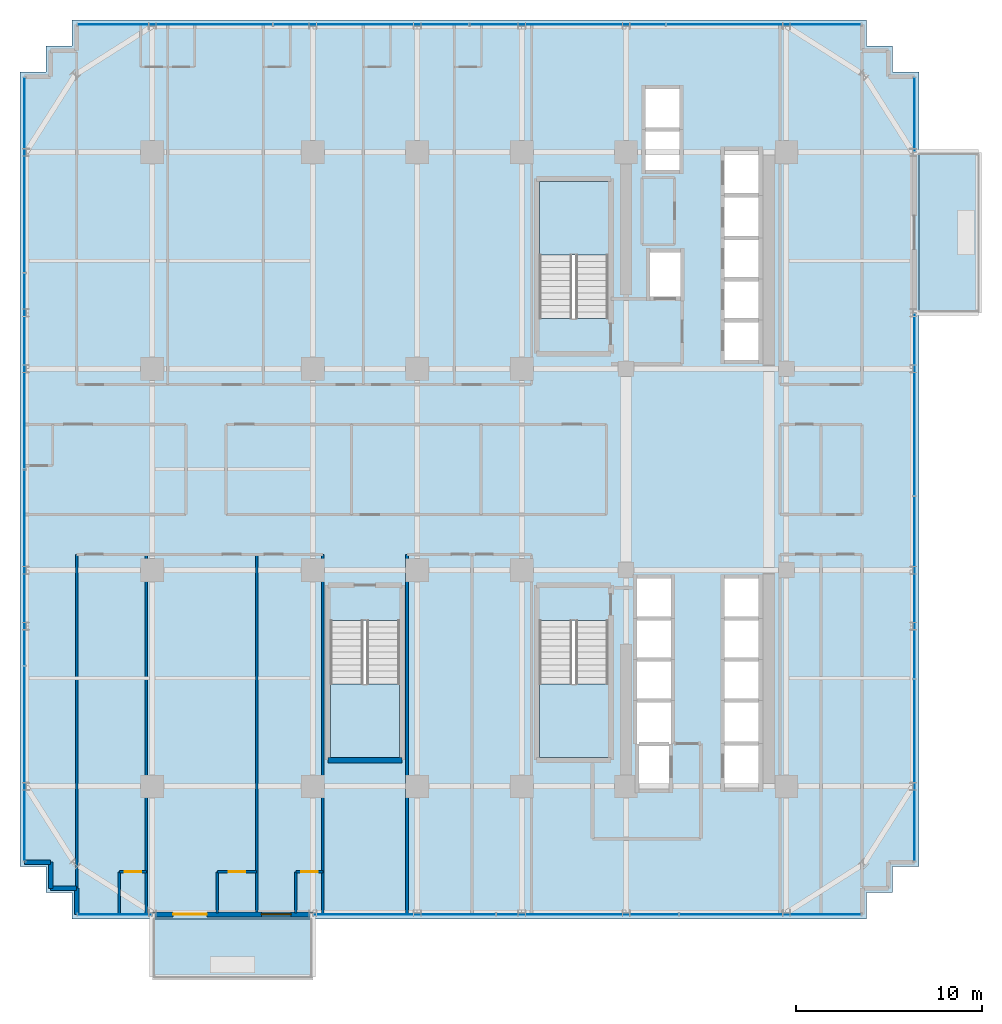
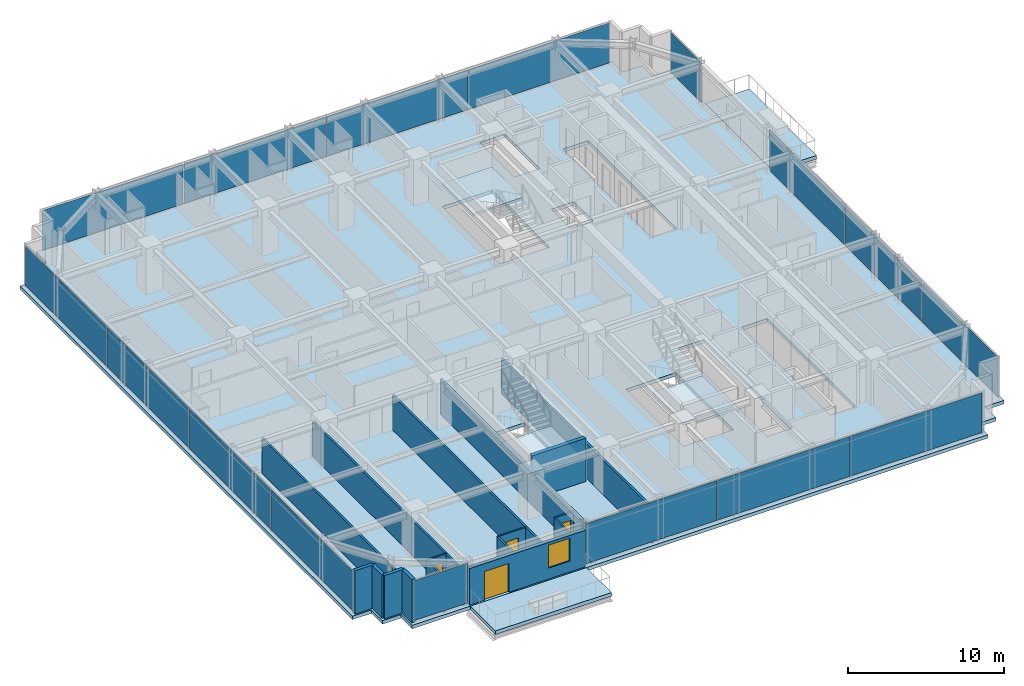
# One storey, part 25 of 32: 17 walls, 16 plates, 6 slabs, 4 doors, 1 window, 5 openings, 9 elements without a shape of their own.
"""IFC4 building model written with IfcOpenShell, lengths in metres."""

from ifc_helpers import new_model, si_unit, direction, frame, frame_2d, origin, origin_2d, place, context, subcontext, project, spatial, polyline, rectangle, outline, extrude, source, transform, mapped, material, layer, layer_set, type_object, element, fill, aggregate, save


model = new_model("IFC4")

# Units and contexts
model_context = context("Model", 3, precision=1e-05, world=origin(), true_north=direction((0.0, 1.0)))
body_context = subcontext(model_context, "Body", "Model", "MODEL_VIEW")
ifc_project = project(units=[si_unit("LENGTHUNIT", "METRE"), si_unit("AREAUNIT", "SQUARE_METRE"), si_unit("VOLUMEUNIT", "CUBIC_METRE"), si_unit("PLANEANGLEUNIT", "RADIAN"), si_unit("MASSUNIT", "GRAM", prefix="KILO")], contexts=[model_context])

# Site, building, storey
site_placement = place(None, origin())
site = spatial("IfcSite", under=ifc_project, at=site_placement, CompositionType="ELEMENT")
building_placement = place(site_placement, origin())
building = spatial("IfcBuilding", under=site, at=building_placement, Name="Nahalor Promenade Grand Hotel", CompositionType="ELEMENT")
storey_placement = place(building_placement, frame((0.0, 0.0, 102.89990234375)))
storey = spatial("IfcBuildingStorey", under=building, at=storey_placement, Name="L25", CompositionType="ELEMENT", Elevation=102.89990234375)

# Stair, slab
ifc_material_1 = material(Name="Concrete B-50 (C40/50)", Category="concrete")
stair_type_1 = type_object("IfcStairType", Name="Stair-ST1", PredefinedType="HALF_TURN_STAIR", material=ifc_material_1)
stair_1_placement = place(storey_placement, origin())
stair_1 = element("IfcStair", 1, at=stair_1_placement, inside=storey, type_object=stair_type_1, Name="L25 ST1", PredefinedType="HALF_TURN_STAIR")
ifc_layer_1 = layer(ifc_material_1, 0.199951171875)
ifc_layer_set_1 = layer_set([ifc_layer_1], Name="Concrete B-50 (C40/50)")
slab_type_1 = type_object("IfcSlabType", Name="Landing-ST1", PredefinedType="LANDING", material=ifc_layer_set_1)
slab_1_placement = place(storey_placement, frame((0.0, 0.0, 1.625)))
slab_1 = element("IfcSlab", 2, at=slab_1_placement, type_object=slab_type_1, Name="ST1 landing 1", PredefinedType="LANDING", context=body_context, shape_type="SweptSolid", body=[
    extrude(outline(polyline([(7.449951171875, 11.5), (7.449951171875, 15.449951171875), (3.75, 15.449951171875), (3.75, 11.5), (7.449951171875, 11.5)])), origin(), (0.0, 0.0, 1.0), 0.2001953125),
])
aggregate(stair_1, [slab_1])

stair_type_2 = type_object("IfcStairType", Name="Stair-ST2", PredefinedType="HALF_TURN_STAIR", material=ifc_material_1)
stair_2_placement = place(storey_placement, origin())
stair_2 = element("IfcStair", 3, at=stair_2_placement, inside=storey, type_object=stair_type_2, Name="L25 ST2", PredefinedType="HALF_TURN_STAIR")
ifc_layer_2 = layer(ifc_material_1, 0.2099609375)
ifc_layer_set_2 = layer_set([ifc_layer_2], Name="Concrete B-50 (C40/50)")
slab_type_2 = type_object("IfcSlabType", Name="Landing-ST2", PredefinedType="LANDING", material=ifc_layer_set_2)
slab_2_placement = place(storey_placement, frame((0.0, 0.0, 1.614990234375)))
slab_2 = element("IfcSlab", 4, at=slab_2_placement, type_object=slab_type_2, Name="ST2 landing 1", PredefinedType="LANDING", context=body_context, shape_type="SweptSolid", body=[
    extrude(outline(polyline([(3.75, -11.5), (3.75, -15.449951171875), (7.449951171875, -15.449951171875), (7.449951171875, -11.5), (3.75, -11.5)])), origin(), (0.0, 0.0, 1.0), 0.210205078125),
])
aggregate(stair_2, [slab_2])

stair_type_3 = type_object("IfcStairType", Name="Stair-ST3", PredefinedType="HALF_TURN_STAIR", material=ifc_material_1)
stair_3_placement = place(storey_placement, origin())
stair_3 = element("IfcStair", 5, at=stair_3_placement, inside=storey, type_object=stair_type_3, Name="L25 ST3", PredefinedType="HALF_TURN_STAIR")
ifc_layer_3 = layer(ifc_material_1, 0.219970703125)
ifc_layer_set_3 = layer_set([ifc_layer_3], Name="Concrete B-50 (C40/50)")
slab_type_3 = type_object("IfcSlabType", Name="Landing-ST3", PredefinedType="LANDING", material=ifc_layer_set_3)
slab_3_placement = place(storey_placement, frame((0.0, 0.0, 1.60498046875)))
slab_3 = element("IfcSlab", 6, at=slab_3_placement, type_object=slab_type_3, Name="ST3 landing 1", PredefinedType="LANDING", context=body_context, shape_type="SweptSolid", body=[
    extrude(outline(polyline([(-7.449951171875, -11.5), (-7.449951171875, -15.449951171875), (-3.75, -15.449951171875), (-3.75, -11.5), (-7.449951171875, -11.5)])), origin(), (0.0, 0.0, 1.0), 0.22021484375),
])
aggregate(stair_3, [slab_3])

# Slabs
ifc_layer_4 = layer(ifc_material_1, 0.280029296875)
ifc_layer_set_4 = layer_set([ifc_layer_4], Name="Concrete B-50 (C40/50)")
slab_type_4 = type_object("IfcSlabType", Name="Slab-Balcony-280", PredefinedType="FLOOR", material=ifc_layer_set_4)
slab_4_placement = place(storey_placement, frame((0.0, 0.0, -0.27978515625)))
element("IfcSlab", 7, at=slab_4_placement, inside=storey, type_object=slab_type_4, Name="L25 Cantilevered Planted Balcony 1", PredefinedType="FLOOR", context=body_context, shape_type="SweptSolid", body=[
    extrude(outline(polyline([(-17.0, -27.31005859375), (-8.39990234375, -27.31005859375), (-8.39990234375, -24.10009765625), (-17.0, -24.10009765625), (-17.0, -27.31005859375)])), origin(), (0.0, 0.0, 1.0), 0.27978515625),
])
slab_5_placement = place(storey_placement, frame((0.0, 0.0, -0.27978515625)))
element("IfcSlab", 8, at=slab_5_placement, inside=storey, type_object=slab_type_4, Name="L25 Cantilevered Planted Balcony 2", PredefinedType="FLOOR", context=body_context, shape_type="SweptSolid", body=[
    extrude(outline(polyline([(24.10009765625, 8.39990234375), (27.3798828125, 8.39990234375), (27.3798828125, 17.0), (24.10009765625, 17.0), (24.10009765625, 8.39990234375)])), origin(), (0.0, 0.0, 1.0), 0.27978515625),
])
ifc_layer_5 = layer(ifc_material_1, 0.27001953125)
ifc_layer_set_5 = layer_set([ifc_layer_5], Name="Concrete B-50 (C40/50)")
slab_type_5 = type_object("IfcSlabType", Name="Slab-TowerZ2-270", PredefinedType="FLOOR", material=ifc_layer_set_5)
slab_6_placement = place(storey_placement, frame((0.0, 0.0, -0.27001953125)))
element("IfcSlab", 9, at=slab_6_placement, inside=storey, type_object=slab_type_5, Name="L25 Suspended Structural Floor Slab", PredefinedType="FLOOR", context=body_context, shape_type="SweptSolid", body=[
    extrude(outline(polyline([(-21.300048828125, -24.10009765625), (21.300048828125, -24.10009765625), (21.300048828125, -22.699951171875), (22.699951171875, -22.699951171875), (22.699951171875, -21.300048828125), (24.10009765625, -21.300048828125), (24.10009765625, 21.300048828125), (22.699951171875, 21.300048828125), (22.699951171875, 22.699951171875), (21.300048828125, 22.699951171875), (21.300048828125, 24.10009765625), (-21.300048828125, 24.10009765625), (-21.300048828125, 22.699951171875), (-22.699951171875, 22.699951171875), (-22.699951171875, 21.300048828125), (-24.10009765625, 21.300048828125), (-24.10009765625, -21.300048828125), (-22.699951171875, -21.300048828125), (-22.699951171875, -22.699951171875), (-21.300048828125, -22.699951171875), (-21.300048828125, -24.10009765625)]), holes=[polyline([(3.75, 8.10009765625), (7.449951171875, 8.10009765625), (7.449951171875, 15.449951171875), (3.75, 15.449951171875), (3.75, 8.10009765625)]), polyline([(3.75, -15.449951171875), (7.449951171875, -15.449951171875), (7.449951171875, -8.10009765625), (3.75, -8.10009765625), (3.75, -15.449951171875)]), polyline([(-7.449951171875, -15.449951171875), (-3.75, -15.449951171875), (-3.75, -8.10009765625), (-7.449951171875, -8.10009765625), (-7.449951171875, -15.449951171875)]), polyline([(13.659912109375, 5.81005859375), (15.5400390625, 5.81005859375), (15.5400390625, 17.139892578125), (13.659912109375, 17.139892578125), (13.659912109375, 5.81005859375)]), polyline([(13.659912109375, -17.139892578125), (15.5400390625, -17.139892578125), (15.5400390625, -5.81005859375), (13.659912109375, -5.81005859375), (13.659912109375, -17.139892578125)]), polyline([(8.9599609375, -17.18994140625), (10.840087890625, -17.18994140625), (10.840087890625, -5.81005859375), (8.9599609375, -5.81005859375), (8.9599609375, -17.18994140625)]), polyline([(9.409912109375, 16.010009765625), (11.2900390625, 16.010009765625), (11.2900390625, 20.43994140625), (9.409912109375, 20.43994140625), (9.409912109375, 16.010009765625)]), polyline([(9.659912109375, 9.2099609375), (11.340087890625, 9.2099609375), (11.340087890625, 11.68994140625), (9.659912109375, 11.68994140625), (9.659912109375, 9.2099609375)])]), origin(), (0.0, 0.0, 1.0), 0.27001953125),
])

# Curtain wall, plate
ifc_material_2 = material(Name="Anodised Bronze Aluminium EN AW-6063 T6", Category="aluminium")
curtain_wall_type = type_object("IfcCurtainWallType", Name="CW2 Typical Hotel Flush Bronze Unitised Curtain Wall", PredefinedType="USERDEFINED", material=ifc_material_2)
curtain_wall_1_placement = place(storey_placement, origin())
curtain_wall_1 = element("IfcCurtainWall", 10, at=curtain_wall_1_placement, inside=storey, type_object=curtain_wall_type, Name="L25 Curtain Wall CW-L25-S-1", ObjectType="UNITISED_CURTAIN_WALL", PredefinedType="USERDEFINED")
ifc_material_3 = material(Name="Low-E Laminated Solar Glass", Category="glass")
ifc_layer_6 = layer(ifc_material_3, 0.028076171875)
ifc_layer_set_6 = layer_set([ifc_layer_6], Name="Low-E Laminated Solar Glass")
plate_type = type_object("IfcPlateType", Name="CWP2 Bronze Low-E Vision IGU 28mm", PredefinedType="CURTAIN_PANEL", material=ifc_layer_set_6)
shared_shape_1 = source(origin(), body_context, "Body", "SweptSolid", [
    extrude(rectangle(XDim=3.929931640625, YDim=0.028076171875, at=origin_2d()), origin(), (0.0, 0.0, 1.0), 3.1201171875),
])
plate_1_placement = place(storey_placement, frame((-19.030029296875, -23.860107421875, 0.130126953125), z_axis=(0.0, 0.0, 1.0), x_axis=(1.0, 0.0, 0.0)))
plate_1 = element("IfcPlate", 11, at=plate_1_placement, type_object=plate_type, Name="CW-L25-S-1 Glazing Panel 0-0", PredefinedType="CURTAIN_PANEL", context=body_context, shape_type="MappedRepresentation", body=[
    mapped(shared_shape_1, transform((0.0, 0.0, 0.0), scale=1.0)),
])
aggregate(curtain_wall_1, [plate_1])

curtain_wall_2_placement = place(storey_placement, origin())
curtain_wall_2 = element("IfcCurtainWall", 12, at=curtain_wall_2_placement, inside=storey, type_object=curtain_wall_type, Name="L25 Curtain Wall CW-L25-E-3", ObjectType="UNITISED_CURTAIN_WALL", PredefinedType="USERDEFINED")
plate_2_placement = place(storey_placement, frame((23.860107421875, 19.030029296875, 0.130126953125), z_axis=(0.0, 0.0, 1.0), x_axis=(0.0, 1.0, 0.0)))
plate_2 = element("IfcPlate", 13, at=plate_2_placement, type_object=plate_type, Name="CW-L25-E-3 Glazing Panel 0-0", PredefinedType="CURTAIN_PANEL", context=body_context, shape_type="MappedRepresentation", body=[
    mapped(shared_shape_1, transform((0.0, 0.0, 0.0), scale=1.0)),
])
aggregate(curtain_wall_2, [plate_2])

# Curtain wall, plates
curtain_wall_3_placement = place(storey_placement, origin())
curtain_wall_3 = element("IfcCurtainWall", 14, at=curtain_wall_3_placement, inside=storey, type_object=curtain_wall_type, Name="L25 Curtain Wall CW-L25-S-3", ObjectType="UNITISED_CURTAIN_WALL", PredefinedType="USERDEFINED")
shared_shape_2 = source(origin(), body_context, "Body", "SweptSolid", [
    extrude(rectangle(XDim=9.722412109375, YDim=0.028076171875, at=origin_2d()), origin(), (0.0, 0.0, 1.0), 3.1201171875),
])
plate_3_placement = place(storey_placement, frame((-3.4736328125, -23.860107421875, 0.130126953125), z_axis=(0.0, 0.0, 1.0), x_axis=(1.0, 0.0, 0.0)))
plate_3 = element("IfcPlate", 15, at=plate_3_placement, type_object=plate_type, Name="CW-L25-S-3 Glazing Panel 0-0", PredefinedType="CURTAIN_PANEL", context=body_context, shape_type="MappedRepresentation", body=[
    mapped(shared_shape_2, transform((0.0, 0.0, 0.0), scale=1.0)),
])
plate_4_placement = place(storey_placement, frame((16.1337890625, -23.860107421875, 0.130126953125), z_axis=(0.0, 0.0, 1.0), x_axis=(1.0, 0.0, 0.0)))
plate_4 = element("IfcPlate", 16, at=plate_4_placement, type_object=plate_type, Name="CW-L25-S-3 Glazing Panel 2-0", PredefinedType="CURTAIN_PANEL", context=body_context, shape_type="MappedRepresentation", body=[
    mapped(shared_shape_2, transform((0.0, 0.0, 0.0), scale=1.0)),
])

curtain_wall_4_placement = place(storey_placement, origin())
curtain_wall_4 = element("IfcCurtainWall", 17, at=curtain_wall_4_placement, inside=storey, type_object=curtain_wall_type, Name="L25 Curtain Wall CW-L25-E-1", ObjectType="UNITISED_CURTAIN_WALL", PredefinedType="USERDEFINED")
plate_5_placement = place(storey_placement, frame((23.860107421875, -16.1337890625, 0.130126953125), z_axis=(0.0, 0.0, 1.0), x_axis=(0.0, 1.0, 0.0)))
plate_5 = element("IfcPlate", 18, at=plate_5_placement, type_object=plate_type, Name="CW-L25-E-1 Glazing Panel 0-0", PredefinedType="CURTAIN_PANEL", context=body_context, shape_type="MappedRepresentation", body=[
    mapped(shared_shape_2, transform((0.0, 0.0, 0.0), scale=1.0)),
])
plate_6_placement = place(storey_placement, frame((23.860107421875, 3.4736328125, 0.130126953125), z_axis=(0.0, 0.0, 1.0), x_axis=(0.0, 1.0, 0.0)))
plate_6 = element("IfcPlate", 19, at=plate_6_placement, type_object=plate_type, Name="CW-L25-E-1 Glazing Panel 2-0", PredefinedType="CURTAIN_PANEL", context=body_context, shape_type="MappedRepresentation", body=[
    mapped(shared_shape_2, transform((0.0, 0.0, 0.0), scale=1.0)),
])

# Plate
shared_shape_3 = source(origin(), body_context, "Body", "SweptSolid", [
    extrude(rectangle(XDim=9.7548828125, YDim=0.028076171875, at=origin_2d()), origin(), (0.0, 0.0, 1.0), 3.1201171875),
])
plate_7_placement = place(storey_placement, frame((6.330078125, -23.860107421875, 0.130126953125), z_axis=(0.0, 0.0, 1.0), x_axis=(1.0, 0.0, 0.0)))
plate_7 = element("IfcPlate", 20, at=plate_7_placement, type_object=plate_type, Name="CW-L25-S-3 Glazing Panel 1-0", PredefinedType="CURTAIN_PANEL", context=body_context, shape_type="MappedRepresentation", body=[
    mapped(shared_shape_3, transform((0.0, 0.0, 0.0), scale=1.0)),
])

aggregate(curtain_wall_3, [plate_3, plate_7, plate_4])

plate_8_placement = place(storey_placement, frame((23.860107421875, -6.330078125, 0.130126953125), z_axis=(0.0, 0.0, 1.0), x_axis=(0.0, 1.0, 0.0)))
plate_8 = element("IfcPlate", 21, at=plate_8_placement, type_object=plate_type, Name="CW-L25-E-1 Glazing Panel 1-0", PredefinedType="CURTAIN_PANEL", context=body_context, shape_type="MappedRepresentation", body=[
    mapped(shared_shape_3, transform((0.0, 0.0, 0.0), scale=1.0)),
])

aggregate(curtain_wall_4, [plate_5, plate_8, plate_6])

# Curtain wall, plates
curtain_wall_5_placement = place(storey_placement, origin())
curtain_wall_5 = element("IfcCurtainWall", 22, at=curtain_wall_5_placement, inside=storey, type_object=curtain_wall_type, Name="L25 Curtain Wall CW-L25-N-1", ObjectType="UNITISED_CURTAIN_WALL", PredefinedType="USERDEFINED")
shared_shape_4 = source(origin(), body_context, "Body", "SweptSolid", [
    extrude(rectangle(XDim=10.4326171875, YDim=0.028076171875, at=origin_2d()), origin(), (0.0, 0.0, 1.0), 3.1201171875),
])
plate_9_placement = place(storey_placement, frame((-15.77880859375, 23.860107421875, 0.130126953125), z_axis=(0.0, 0.0, 1.0), x_axis=(1.0, 0.0, 0.0)))
plate_9 = element("IfcPlate", 23, at=plate_9_placement, type_object=plate_type, Name="CW-L25-N-1 Glazing Panel 0-0", PredefinedType="CURTAIN_PANEL", context=body_context, shape_type="MappedRepresentation", body=[
    mapped(shared_shape_4, transform((0.0, 0.0, 0.0), scale=1.0)),
])
plate_10_placement = place(storey_placement, frame((15.77880859375, 23.860107421875, 0.130126953125), z_axis=(0.0, 0.0, 1.0), x_axis=(1.0, 0.0, 0.0)))
plate_10 = element("IfcPlate", 24, at=plate_10_placement, type_object=plate_type, Name="CW-L25-N-1 Glazing Panel 3-0", PredefinedType="CURTAIN_PANEL", context=body_context, shape_type="MappedRepresentation", body=[
    mapped(shared_shape_4, transform((0.0, 0.0, 0.0), scale=1.0)),
])

curtain_wall_6_placement = place(storey_placement, origin())
curtain_wall_6 = element("IfcCurtainWall", 25, at=curtain_wall_6_placement, inside=storey, type_object=curtain_wall_type, Name="L25 Curtain Wall CW-L25-W-1", ObjectType="UNITISED_CURTAIN_WALL", PredefinedType="USERDEFINED")
plate_11_placement = place(storey_placement, frame((-23.860107421875, -15.77880859375, 0.130126953125), z_axis=(0.0, 0.0, 1.0), x_axis=(0.0, 1.0, 0.0)))
plate_11 = element("IfcPlate", 26, at=plate_11_placement, type_object=plate_type, Name="CW-L25-W-1 Glazing Panel 0-0", PredefinedType="CURTAIN_PANEL", context=body_context, shape_type="MappedRepresentation", body=[
    mapped(shared_shape_4, transform((0.0, 0.0, 0.0), scale=1.0)),
])
plate_12_placement = place(storey_placement, frame((-23.860107421875, 15.77880859375, 0.130126953125), z_axis=(0.0, 0.0, 1.0), x_axis=(0.0, 1.0, 0.0)))
plate_12 = element("IfcPlate", 27, at=plate_12_placement, type_object=plate_type, Name="CW-L25-W-1 Glazing Panel 3-0", PredefinedType="CURTAIN_PANEL", context=body_context, shape_type="MappedRepresentation", body=[
    mapped(shared_shape_4, transform((0.0, 0.0, 0.0), scale=1.0)),
])

# Plate
shared_shape_5 = source(origin(), body_context, "Body", "SweptSolid", [
    extrude(rectangle(XDim=10.465087890625, YDim=0.028076171875, at=origin_2d()), origin(), (0.0, 0.0, 1.0), 3.1201171875),
])
plate_13_placement = place(storey_placement, frame((-5.264892578125, 23.860107421875, 0.130126953125), z_axis=(0.0, 0.0, 1.0), x_axis=(1.0, 0.0, 0.0)))
plate_13 = element("IfcPlate", 28, at=plate_13_placement, type_object=plate_type, Name="CW-L25-N-1 Glazing Panel 1-0", PredefinedType="CURTAIN_PANEL", context=body_context, shape_type="MappedRepresentation", body=[
    mapped(shared_shape_5, transform((0.0, 0.0, 0.0), scale=1.0)),
])

plate_14_placement = place(storey_placement, frame((5.264892578125, 23.860107421875, 0.130126953125), z_axis=(0.0, 0.0, 1.0), x_axis=(1.0, 0.0, 0.0)))
plate_14 = element("IfcPlate", 29, at=plate_14_placement, type_object=plate_type, Name="CW-L25-N-1 Glazing Panel 2-0", PredefinedType="CURTAIN_PANEL", context=body_context, shape_type="MappedRepresentation", body=[
    mapped(shared_shape_5, transform((0.0, 0.0, 0.0), scale=1.0)),
])

aggregate(curtain_wall_5, [plate_9, plate_13, plate_14, plate_10])

plate_15_placement = place(storey_placement, frame((-23.860107421875, -5.264892578125, 0.130126953125), z_axis=(0.0, 0.0, 1.0), x_axis=(0.0, 1.0, 0.0)))
plate_15 = element("IfcPlate", 30, at=plate_15_placement, type_object=plate_type, Name="CW-L25-W-1 Glazing Panel 1-0", PredefinedType="CURTAIN_PANEL", context=body_context, shape_type="MappedRepresentation", body=[
    mapped(shared_shape_5, transform((0.0, 0.0, 0.0), scale=1.0)),
])

plate_16_placement = place(storey_placement, frame((-23.860107421875, 5.264892578125, 0.130126953125), z_axis=(0.0, 0.0, 1.0), x_axis=(0.0, 1.0, 0.0)))
plate_16 = element("IfcPlate", 31, at=plate_16_placement, type_object=plate_type, Name="CW-L25-W-1 Glazing Panel 2-0", PredefinedType="CURTAIN_PANEL", context=body_context, shape_type="MappedRepresentation", body=[
    mapped(shared_shape_5, transform((0.0, 0.0, 0.0), scale=1.0)),
])

aggregate(curtain_wall_6, [plate_11, plate_15, plate_16, plate_12])

# Walls
ifc_layer_7 = layer(ifc_material_1, 0.300048828125)
ifc_layer_set_7 = layer_set([ifc_layer_7], Name="Concrete B-50 (C40/50)")
wall_type_1 = type_object("IfcWallType", Name="Wall-ShaftShear-300", PredefinedType="SHEAR", material=ifc_layer_set_7)
shared_shape_6 = source(origin(), body_context, "Body", "SweptSolid", [
    extrude(rectangle(XDim=3.97998046875, YDim=0.300048828125, at=frame_2d((1.989990234375, 0.0))), origin(), (0.0, 0.0, 1.0), 3.380126953125),
])
wall_1_placement = place(storey_placement, frame((-7.590087890625, -15.590087890625, 0.0), z_axis=(0.0, 0.0, 1.0), x_axis=(1.0, 0.0, 0.0)))
element("IfcWall", 32, at=wall_1_placement, inside=storey, type_object=wall_type_1, Name="L25 Exit Stair ST3 Shaft Wall S", PredefinedType="SHEAR", context=body_context, shape_type="MappedRepresentation", body=[
    mapped(shared_shape_6, transform((0.0, 0.0, 0.0), scale=1.0)),
])
ifc_material_4 = material(Name="Concrete B-40 (C32/40)", Category="concrete")
ifc_layer_8 = layer(ifc_material_4, 0.25)
ifc_layer_set_8 = layer_set([ifc_layer_8], Name="Concrete B-40 (C32/40)")
wall_type_2 = type_object("IfcWallType", Name="Wall-BronzePier-250", PredefinedType="STANDARD", material=ifc_layer_set_8)
shared_shape_7 = source(origin(), body_context, "Body", "SweptSolid", [
    extrude(rectangle(XDim=1.400146484375, YDim=0.25, at=frame_2d((0.7001953125, 0.0))), origin(), (0.0, 0.0, 1.0), 3.380126953125),
])
for number, where, z_axis, x_axis, name in (
    (33, (-23.860107421875, -21.06005859375, 0.0), (0.0, 0.0, 1.0), (1.0, 0.0, 0.0), "W-L25-SR-13"),
    (34, (-21.06005859375, -23.860107421875, 0.0), (0.0, 0.0, 1.0), (0.0, 1.0, 0.0), "W-L25-SR-16"),
):
    element("IfcWall", number, at=place(storey_placement, frame(where, z_axis=z_axis, x_axis=x_axis)), inside=storey, type_object=wall_type_2, Name=name, PredefinedType="STANDARD", context=body_context, shape_type="MappedRepresentation", body=[
        mapped(shared_shape_7, transform((0.0, 0.0, 0.0), scale=1.0)),
    ])
shared_shape_8 = source(origin(), body_context, "Body", "SweptSolid", [
    extrude(rectangle(XDim=1.39990234375, YDim=0.25, at=frame_2d((0.699951171875, 0.0))), origin(), (0.0, 0.0, 1.0), 3.380126953125),
])
for number, where, z_axis, x_axis, name in (
    (35, (-22.4599609375, -22.4599609375, 0.0), (0.0, 0.0, 1.0), (0.0, 1.0, 0.0), "W-L25-SR-14"),
    (36, (-22.4599609375, -22.4599609375, 0.0), (0.0, 0.0, 1.0), (1.0, 0.0, 0.0), "W-L25-SR-15"),
):
    element("IfcWall", number, at=place(storey_placement, frame(where, z_axis=z_axis, x_axis=x_axis)), inside=storey, type_object=wall_type_2, Name=name, PredefinedType="STANDARD", context=body_context, shape_type="MappedRepresentation", body=[
        mapped(shared_shape_8, transform((0.0, 0.0, 0.0), scale=1.0)),
    ])

# Wall, openings, door, window
ifc_layer_9 = layer(ifc_material_4, 0.260009765625)
ifc_layer_set_9 = layer_set([ifc_layer_9], Name="Concrete B-40 (C32/40)")
wall_type_3 = type_object("IfcWallType", Name="Wall-BalconyWall-260", PredefinedType="STANDARD", material=ifc_layer_set_9)
shared_shape_9 = source(origin(), body_context, "Body", "SweptSolid", [
    extrude(rectangle(XDim=8.60009765625, YDim=0.260009765625, at=frame_2d((4.300048828125, 0.0))), origin(), (0.0, 0.0, 1.0), 2.860107421875),
])
wall_2_placement = place(storey_placement, frame((-17.0, -23.860107421875, 0.0), z_axis=(0.0, 0.0, 1.0), x_axis=(1.0, 0.0, 0.0)))
wall_2 = element("IfcWall", 37, at=wall_2_placement, inside=storey, type_object=wall_type_3, Name="W-L25-BALC-S-2", PredefinedType="STANDARD", context=body_context, shape_type="MappedRepresentation", body=[
    mapped(shared_shape_9, transform((0.0, 0.0, 0.0), scale=1.0)),
])
opening_1_placement = place(wall_2_placement, frame((1.114990234375, 0.0, 0.0)))
opening_1 = element("IfcOpeningElement", 38, at=opening_1_placement, cuts=wall_2, Name="Opening D-BC1", PredefinedType="OPENING", context=body_context, shape_type="SweptSolid", body=[
    extrude(rectangle(XDim=1.800048828125, YDim=2.25, at=frame_2d((0.89990234375, 1.125))), frame((0.0, 0.139892578125, 0.0), z_axis=(0.0, -1.0, 0.0), x_axis=(1.0, 0.0, 0.0)), (0.0, 0.0, 1.0), 0.280029296875),
])
opening_2_placement = place(wall_2_placement, frame((5.840087890625, 0.0, 0.85009765625)))
opening_2 = element("IfcOpeningElement", 39, at=opening_2_placement, cuts=wall_2, Name="Opening WN-03", PredefinedType="OPENING", context=body_context, shape_type="SweptSolid", body=[
    extrude(rectangle(XDim=1.60009765625, YDim=1.800048828125, at=frame_2d((0.800048828125, 0.89990234375))), frame((0.0, 0.139892578125, 0.0), z_axis=(0.0, -1.0, 0.0), x_axis=(1.0, 0.0, 0.0)), (0.0, 0.0, 1.0), 0.280029296875),
])
door_type_1 = type_object("IfcDoorType", Name="Door-BalconySlide-1800", OperationType="DOUBLE_DOOR_SLIDING", PredefinedType="DOOR", material=ifc_material_2)
shared_shape_10 = source(origin(), body_context, "Body", "SweptSolid", [
    extrude(rectangle(XDim=1.800048828125, YDim=2.25, at=frame_2d((0.89990234375, 1.125))), frame((0.0, 0.02490234375, 0.0), z_axis=(0.0, -1.0, 0.0), x_axis=(1.0, 0.0, 0.0)), (0.0, 0.0, 1.0), 0.050048828125),
])
door_1_placement = place(opening_1_placement, frame((1.800048828125, 0.0, 0.0), z_axis=(0.0, 0.0, 1.0), x_axis=(-1.0, 0.0, 0.0)))
door_1 = element("IfcDoor", 40, at=door_1_placement, inside=storey, type_object=door_type_1, Name="DR-L25-BALC-S-2", OperationType="DOUBLE_DOOR_SLIDING", OverallHeight=2.25, OverallWidth=1.800048828125, PredefinedType="DOOR", context=body_context, shape_type="MappedRepresentation", body=[
    mapped(shared_shape_10, transform((0.0, 0.0, 0.0), scale=1.0)),
])
fill(opening_1, door_1)
window_type = type_object("IfcWindowType", Name="Win-CrownVented-1600x1800", PartitioningType="SINGLE_PANEL", PredefinedType="WINDOW", material=ifc_material_3)
shared_shape_11 = source(origin(), body_context, "Body", "SweptSolid", [
    extrude(rectangle(XDim=1.60009765625, YDim=1.800048828125, at=frame_2d((0.800048828125, 0.89990234375))), frame((0.0, 0.030029296875, 0.0), z_axis=(0.0, -1.0, 0.0), x_axis=(1.0, 0.0, 0.0)), (0.0, 0.0, 1.0), 0.06005859375),
])
window_placement = place(opening_2_placement, origin())
window = element("IfcWindow", 41, at=window_placement, inside=storey, type_object=window_type, Name="WN-L25-BALC-S-2-1", OverallHeight=1.800048828125, OverallWidth=1.60009765625, PartitioningType="SINGLE_PANEL", PredefinedType="WINDOW", context=body_context, shape_type="MappedRepresentation", body=[
    mapped(shared_shape_11, transform((0.0, 0.0, 0.0), scale=1.0)),
])
fill(opening_2, window)

# Walls
ifc_material_5 = material(Name="Acoustic Mineral Gypsum", Category="gypsum")
ifc_layer_10 = layer(ifc_material_5, 0.159912109375)
ifc_layer_set_10 = layer_set([ifc_layer_10], Name="Acoustic Mineral Gypsum")
wall_type_4 = type_object("IfcWallType", Name="Wall-PartCorridor-160", PredefinedType="PARTITIONING", material=ifc_layer_set_10)
shared_shape_12 = source(origin(), body_context, "Body", "SweptSolid", [
    extrude(rectangle(XDim=19.25, YDim=0.159912109375, at=frame_2d((9.625, 0.0))), origin(), (0.0, 0.0, 1.0), 2.72021484375),
])
wall_3_placement = place(storey_placement, frame((-3.340087890625, -23.800048828125, 0.0), z_axis=(0.0, 0.0, 1.0), x_axis=(0.0, 1.0, 0.0)))
element("IfcWall", 42, at=wall_3_placement, inside=storey, type_object=wall_type_4, Name="W-L25-SCB1-W", PredefinedType="PARTITIONING", context=body_context, shape_type="MappedRepresentation", body=[
    mapped(shared_shape_12, transform((0.0, 0.0, 0.0), scale=1.0)),
])
ifc_layer_11 = layer(ifc_material_5, 0.139892578125)
ifc_layer_set_11 = layer_set([ifc_layer_11], Name="Acoustic Mineral Gypsum")
wall_type_5 = type_object("IfcWallType", Name="Wall-PartSuite-140", PredefinedType="PARTITIONING", material=ifc_layer_set_11)
shared_shape_13 = source(origin(), body_context, "Body", "SweptSolid", [
    extrude(rectangle(XDim=17.829833984375, YDim=0.139892578125, at=frame_2d((8.9150390625, 0.0))), origin(), (0.0, 0.0, 1.0), 2.72021484375),
])
wall_4_placement = place(storey_placement, frame((-21.06005859375, -22.3798828125, 0.0), z_axis=(0.0, 0.0, 1.0), x_axis=(0.0, 1.0, 0.0)))
element("IfcWall", 43, at=wall_4_placement, inside=storey, type_object=wall_type_5, Name="W-L25-SW-ENDW", PredefinedType="PARTITIONING", context=body_context, shape_type="MappedRepresentation", body=[
    mapped(shared_shape_13, transform((0.0, 0.0, 0.0), scale=1.0)),
])
shared_shape_14 = source(origin(), body_context, "Body", "SweptSolid", [
    extrude(rectangle(XDim=19.25, YDim=0.139892578125, at=frame_2d((9.625, 0.0))), origin(), (0.0, 0.0, 1.0), 2.72021484375),
])
for number, where, z_axis, x_axis, name in (
    (44, (-7.860107421875, -23.800048828125, 0.0), (0.0, 0.0, 1.0), (0.0, 1.0, 0.0), "W-L25-SW-ENDE"),
    (45, (-17.322021484375, -23.800048828125, 0.0), (0.0, 0.0, 1.0), (0.0, 1.0, 0.0), "W-L25-SP-1"),
    (46, (-11.409912109375, -23.800048828125, 0.0), (0.0, 0.0, 1.0), (0.0, 1.0, 0.0), "W-L25-SP-2"),
):
    element("IfcWall", number, at=place(storey_placement, frame(where, z_axis=z_axis, x_axis=x_axis)), inside=storey, type_object=wall_type_5, Name=name, PredefinedType="PARTITIONING", context=body_context, shape_type="MappedRepresentation", body=[
        mapped(shared_shape_14, transform((0.0, 0.0, 0.0), scale=1.0)),
    ])

# Wall, opening, door
ifc_layer_12 = layer(ifc_material_5, 0.1201171875)
ifc_layer_set_12 = layer_set([ifc_layer_12], Name="Acoustic Mineral Gypsum")
wall_type_6 = type_object("IfcWallType", Name="Wall-PartBath-120", PredefinedType="PARTITIONING", material=ifc_layer_set_12)
shared_shape_15 = source(origin(), body_context, "Body", "SweptSolid", [
    extrude(rectangle(XDim=1.449951171875, YDim=0.1201171875, at=frame_2d((0.72509765625, 0.0))), origin(), (0.0, 0.0, 1.0), 2.72021484375),
])
wall_5_placement = place(storey_placement, frame((-18.77197265625, -21.580078125, 0.0), z_axis=(0.0, 0.0, 1.0), x_axis=(1.0, 0.0, 0.0)))
wall_5 = element("IfcWall", 47, at=wall_5_placement, inside=storey, type_object=wall_type_6, Name="W-L25-S1-BH", PredefinedType="PARTITIONING", context=body_context, shape_type="MappedRepresentation", body=[
    mapped(shared_shape_15, transform((0.0, 0.0, 0.0), scale=1.0)),
])
opening_3_placement = place(wall_5_placement, frame((0.284912109375, 0.0, 0.0)))
opening_3 = element("IfcOpeningElement", 48, at=opening_3_placement, cuts=wall_5, Name="Opening D-03", PredefinedType="OPENING", context=body_context, shape_type="SweptSolid", body=[
    extrude(rectangle(XDim=0.8798828125, YDim=2.10009765625, at=frame_2d((0.43994140625, 1.050048828125))), frame((0.0, 0.070068359375, 0.0), z_axis=(0.0, -1.0, 0.0), x_axis=(1.0, 0.0, 0.0)), (0.0, 0.0, 1.0), 0.14013671875),
])
ifc_material_6 = material(Name="Fire-Rated Timber Composite", Category="wood")
door_type_2 = type_object("IfcDoorType", Name="Door-BathSwing-880", OperationType="NOTDEFINED", PredefinedType="DOOR", material=ifc_material_6)
shared_shape_16 = source(origin(), body_context, "Body", "SweptSolid", [
    extrude(rectangle(XDim=0.8798828125, YDim=2.10009765625, at=frame_2d((0.43994140625, 1.050048828125))), frame((0.0, 0.02490234375, 0.0), z_axis=(0.0, -1.0, 0.0), x_axis=(1.0, 0.0, 0.0)), (0.0, 0.0, 1.0), 0.050048828125),
])
door_2_placement = place(opening_3_placement, frame((0.8798828125, 0.0, 0.0), z_axis=(0.0, 0.0, 1.0), x_axis=(-1.0, 0.0, 0.0)))
door_2 = element("IfcDoor", 49, at=door_2_placement, inside=storey, type_object=door_type_2, Name="DR-L25-S1-BATH", OperationType="SINGLE_SWING_LEFT", OverallHeight=2.10009765625, OverallWidth=0.8798828125, PredefinedType="DOOR", context=body_context, shape_type="MappedRepresentation", body=[
    mapped(shared_shape_16, transform((0.0, 0.0, 0.0), scale=1.0)),
])
fill(opening_3, door_2)

wall_6_placement = place(storey_placement, frame((-9.31005859375, -21.580078125, 0.0), z_axis=(0.0, 0.0, 1.0), x_axis=(1.0, 0.0, 0.0)))
wall_6 = element("IfcWall", 50, at=wall_6_placement, inside=storey, type_object=wall_type_6, Name="W-L25-S3-BH", PredefinedType="PARTITIONING", context=body_context, shape_type="MappedRepresentation", body=[
    mapped(shared_shape_15, transform((0.0, 0.0, 0.0), scale=1.0)),
])
opening_4_placement = place(wall_6_placement, frame((0.284912109375, 0.0, 0.0)))
opening_4 = element("IfcOpeningElement", 51, at=opening_4_placement, cuts=wall_6, Name="Opening D-03", PredefinedType="OPENING", context=body_context, shape_type="SweptSolid", body=[
    extrude(rectangle(XDim=0.8798828125, YDim=2.10009765625, at=frame_2d((0.43994140625, 1.050048828125))), frame((0.0, 0.070068359375, 0.0), z_axis=(0.0, -1.0, 0.0), x_axis=(1.0, 0.0, 0.0)), (0.0, 0.0, 1.0), 0.14013671875),
])
door_3_placement = place(opening_4_placement, frame((0.8798828125, 0.0, 0.0), z_axis=(0.0, 0.0, 1.0), x_axis=(-1.0, 0.0, 0.0)))
door_3 = element("IfcDoor", 52, at=door_3_placement, inside=storey, type_object=door_type_2, Name="DR-L25-S3-BATH", OperationType="SINGLE_SWING_LEFT", OverallHeight=2.10009765625, OverallWidth=0.8798828125, PredefinedType="DOOR", context=body_context, shape_type="MappedRepresentation", body=[
    mapped(shared_shape_16, transform((0.0, 0.0, 0.0), scale=1.0)),
])
fill(opening_4, door_3)

# Walls
shared_shape_17 = source(origin(), body_context, "Body", "SweptSolid", [
    extrude(rectangle(XDim=2.219970703125, YDim=0.1201171875, at=frame_2d((1.10986328125, 0.0))), origin(), (0.0, 0.0, 1.0), 2.72021484375),
])
for number, where, z_axis, x_axis, name in (
    (53, (-18.77197265625, -23.800048828125, 0.0), (0.0, 0.0, 1.0), (0.0, 1.0, 0.0), "W-L25-S1-BV"),
    (54, (-13.52001953125, -23.800048828125, 0.0), (0.0, 0.0, 1.0), (0.0, 1.0, 0.0), "W-L25-S2-BV"),
    (55, (-9.31005859375, -23.800048828125, 0.0), (0.0, 0.0, 1.0), (0.0, 1.0, 0.0), "W-L25-S3-BV"),
):
    element("IfcWall", number, at=place(storey_placement, frame(where, z_axis=z_axis, x_axis=x_axis)), inside=storey, type_object=wall_type_6, Name=name, PredefinedType="PARTITIONING", context=body_context, shape_type="MappedRepresentation", body=[
        mapped(shared_shape_17, transform((0.0, 0.0, 0.0), scale=1.0)),
    ])

# Wall, opening, door
shared_shape_18 = source(origin(), body_context, "Body", "SweptSolid", [
    extrude(rectangle(XDim=2.110107421875, YDim=0.1201171875, at=frame_2d((1.05517578125, 0.0))), origin(), (0.0, 0.0, 1.0), 2.72021484375),
])
wall_7_placement = place(storey_placement, frame((-13.52001953125, -21.580078125, 0.0), z_axis=(0.0, 0.0, 1.0), x_axis=(1.0, 0.0, 0.0)))
wall_7 = element("IfcWall", 56, at=wall_7_placement, inside=storey, type_object=wall_type_6, Name="W-L25-S2-BH", PredefinedType="PARTITIONING", context=body_context, shape_type="MappedRepresentation", body=[
    mapped(shared_shape_18, transform((0.0, 0.0, 0.0), scale=1.0)),
])
opening_5_placement = place(wall_7_placement, frame((0.614990234375, 0.0, 0.0)))
opening_5 = element("IfcOpeningElement", 57, at=opening_5_placement, cuts=wall_7, Name="Opening D-03", PredefinedType="OPENING", context=body_context, shape_type="SweptSolid", body=[
    extrude(rectangle(XDim=0.8798828125, YDim=2.10009765625, at=frame_2d((0.43994140625, 1.050048828125))), frame((0.0, 0.070068359375, 0.0), z_axis=(0.0, -1.0, 0.0), x_axis=(1.0, 0.0, 0.0)), (0.0, 0.0, 1.0), 0.14013671875),
])
door_4_placement = place(opening_5_placement, frame((0.8798828125, 0.0, 0.0), z_axis=(0.0, 0.0, 1.0), x_axis=(-1.0, 0.0, 0.0)))
door_4 = element("IfcDoor", 58, at=door_4_placement, inside=storey, type_object=door_type_2, Name="DR-L25-S2-BATH", OperationType="SINGLE_SWING_LEFT", OverallHeight=2.10009765625, OverallWidth=0.8798828125, PredefinedType="DOOR", context=body_context, shape_type="MappedRepresentation", body=[
    mapped(shared_shape_16, transform((0.0, 0.0, 0.0), scale=1.0)),
])
fill(opening_5, door_4)

save(model, "model.ifc")
